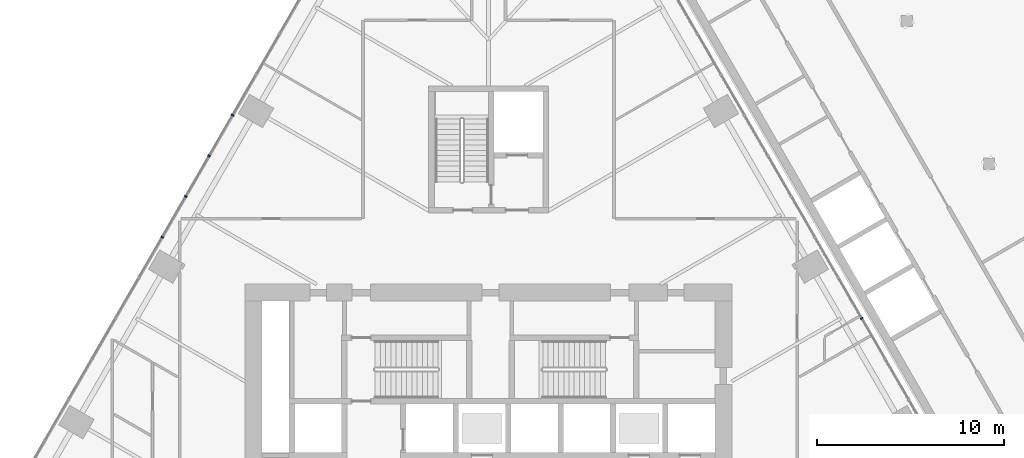
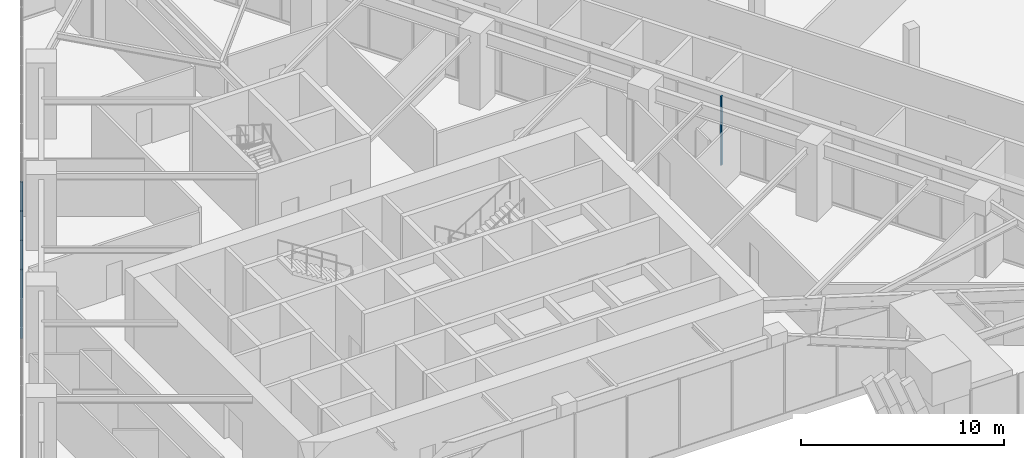
# One storey, part 10 of 29: 5 members, 2 elements without a shape of their own.
"""IFC4 building model written with IfcOpenShell, lengths in metres."""

from ifc_helpers import new_model, si_unit, direction, frame, origin, origin_2d, place, context, subcontext, project, spatial, rectangle, extrude, material, layer, layer_set, material_profile, profile_set, type_object, element, aggregate, save


model = new_model("IFC4")

# Units and contexts
model_context = context("Model", 3, precision=1e-05, world=origin(), true_north=direction((0.0, 1.0)))
body_context = subcontext(model_context, "Body", "Model", "MODEL_VIEW")
ifc_project = project(units=[si_unit("LENGTHUNIT", "METRE"), si_unit("AREAUNIT", "SQUARE_METRE"), si_unit("VOLUMEUNIT", "CUBIC_METRE"), si_unit("PLANEANGLEUNIT", "RADIAN"), si_unit("MASSUNIT", "GRAM", prefix="KILO")], contexts=[model_context])

# Site, building, storey
site_placement = place(None, origin())
site = spatial("IfcSite", under=ifc_project, at=site_placement, CompositionType="ELEMENT")
building_placement = place(site_placement, origin())
building = spatial("IfcBuilding", under=site, at=building_placement, Name="Firuza Gate Tower and Library", CompositionType="ELEMENT")
storey_placement = place(building_placement, frame((0.0, 0.0, 8.0)))
storey = spatial("IfcBuildingStorey", under=building, at=storey_placement, Name="L01", CompositionType="ELEMENT", Elevation=8.0)

# Curtain wall, member
ifc_material_1 = material(Name="Aluminium 6063-T6", Category="aluminium")
ifc_layer = layer(ifc_material_1, 0.14990234375)
ifc_layer_set = layer_set([ifc_layer], Name="Stick curtain wall, podium")
curtain_wall_type = type_object("IfcCurtainWallType", Name="Stick curtain wall, podium", PredefinedType="NOTDEFINED", material=ifc_layer_set)
placement = place(storey_placement, origin())
curtain_wall_1 = element("IfcCurtainWall", 1, at=placement, inside=storey, type_object=curtain_wall_type, Name="CW5 L01 E", PredefinedType="NOTDEFINED")
ifc_material_2 = material(Name="Aluminium 6063-T6", Category="aluminium")
ifc_material_profile = material_profile(ifc_material_2, rectangle(XDim=0.14990234375, YDim=0.080078125, at=origin_2d()))
ifc_profile_set = profile_set([ifc_material_profile], Name="Aluminium 6063-T6")
member_type = type_object("IfcMemberType", Name="Curtain wall mullion 80x150", PredefinedType="MULLION", material=ifc_profile_set)
member_1_placement = place(storey_placement, frame((94.946044921875, 82.171630859375, 0.14990234375), z_axis=(0.0, 0.0, 1.0), x_axis=(-0.866025403784, -0.5, 0.0)))
member_1 = element("IfcMember", 2, at=member_1_placement, type_object=member_type, Name="Mullion", PredefinedType="MULLION", context=body_context, shape_type="SweptSolid", body=[
    extrude(rectangle(XDim=0.14990234375, YDim=0.080078125, at=origin_2d()), origin(), (0.0, 0.0, 1.0), 4.150146484375),
])
aggregate(curtain_wall_1, [member_1])

# Curtain wall, members
curtain_wall_2 = element("IfcCurtainWall", 3, at=placement, inside=storey, type_object=curtain_wall_type, Name="CW5 L01 W", PredefinedType="NOTDEFINED")
member_2_placement = place(storey_placement, frame((61.32421875, 93.0322265625, 0.14990234375), z_axis=(0.0, 0.0, 1.0), x_axis=(0.866025403784, -0.5, 0.0)))
member_2 = element("IfcMember", 4, at=member_2_placement, type_object=member_type, Name="Mullion", PredefinedType="MULLION", context=body_context, shape_type="SweptSolid", body=[
    extrude(rectangle(XDim=0.14990234375, YDim=0.080078125, at=origin_2d()), origin(), (0.0, 0.0, 1.0), 4.150146484375),
])
member_3_placement = place(storey_placement, frame((60.070068359375, 90.860107421875, 0.14990234375), z_axis=(0.0, 0.0, 1.0), x_axis=(0.866025403784, -0.5, 0.0)))
member_3 = element("IfcMember", 5, at=member_3_placement, type_object=member_type, Name="Mullion", PredefinedType="MULLION", context=body_context, shape_type="SweptSolid", body=[
    extrude(rectangle(XDim=0.14990234375, YDim=0.080078125, at=origin_2d()), origin(), (0.0, 0.0, 1.0), 4.150146484375),
])
member_4_placement = place(storey_placement, frame((58.816162109375, 88.68798828125, 0.14990234375), z_axis=(0.0, 0.0, 1.0), x_axis=(0.866025403784, -0.5, 0.0)))
member_4 = element("IfcMember", 6, at=member_4_placement, type_object=member_type, Name="Mullion", PredefinedType="MULLION", context=body_context, shape_type="SweptSolid", body=[
    extrude(rectangle(XDim=0.14990234375, YDim=0.080078125, at=origin_2d()), origin(), (0.0, 0.0, 1.0), 4.150146484375),
])
member_5_placement = place(storey_placement, frame((57.56201171875, 86.515869140625, 0.14990234375), z_axis=(0.0, 0.0, 1.0), x_axis=(0.866025403784, -0.5, 0.0)))
member_5 = element("IfcMember", 7, at=member_5_placement, type_object=member_type, Name="Mullion", PredefinedType="MULLION", context=body_context, shape_type="SweptSolid", body=[
    extrude(rectangle(XDim=0.14990234375, YDim=0.080078125, at=origin_2d()), origin(), (0.0, 0.0, 1.0), 4.150146484375),
])
aggregate(curtain_wall_2, [member_2, member_3, member_4, member_5])

save(model, "model.ifc")
